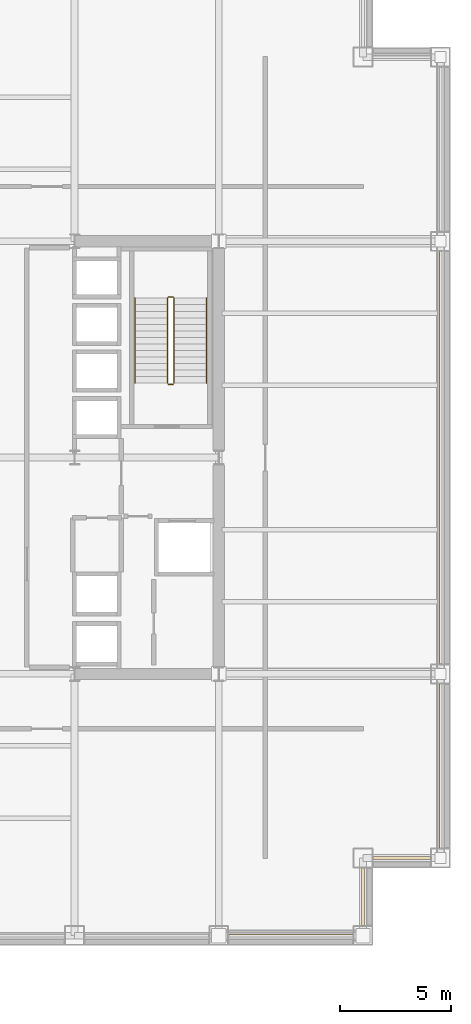
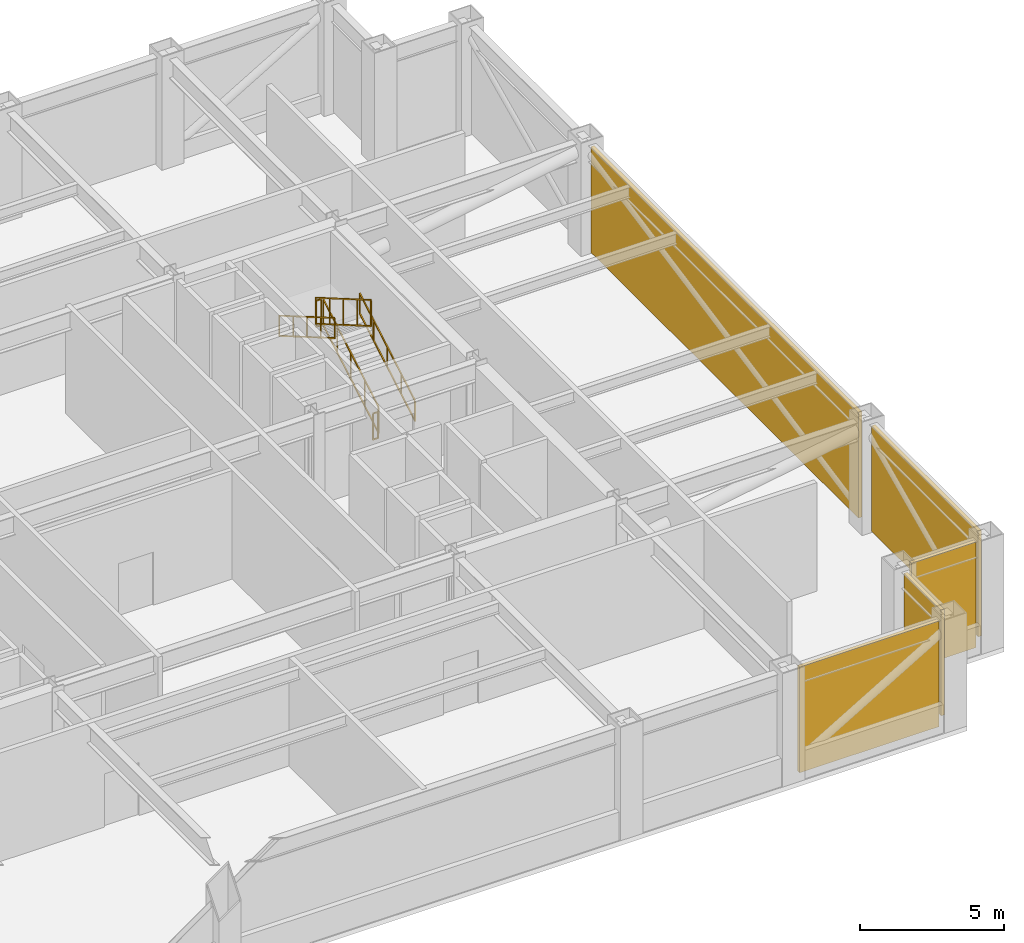
# One storey, part 7 of 8: 6 railings, 5 shading devices.
"""IFC4 building model written with IfcOpenShell, lengths in metres."""

from ifc_helpers import new_model, si_unit, direction, frame, origin, origin_2d, place, context, subcontext, project, spatial, rectangle, extrude, material, layer, layer_set, type_object, element, save


model = new_model("IFC4")

# Units and contexts
model_context = context("Model", 3, precision=1e-05, world=origin(), true_north=direction((0.0, 1.0)))
body_context = subcontext(model_context, "Body", "Model", "MODEL_VIEW")
ifc_project = project(units=[si_unit("LENGTHUNIT", "METRE"), si_unit("AREAUNIT", "SQUARE_METRE"), si_unit("VOLUMEUNIT", "CUBIC_METRE"), si_unit("PLANEANGLEUNIT", "RADIAN"), si_unit("MASSUNIT", "GRAM", prefix="KILO")], contexts=[model_context])

# Site, building, storey
site_placement = place(None, origin())
site = spatial("IfcSite", under=ifc_project, at=site_placement, CompositionType="ELEMENT")
building_placement = place(site_placement, origin())
building = spatial("IfcBuilding", under=site, at=building_placement, Name="Brelmoor Portico Tower", CompositionType="ELEMENT")
storey_placement = place(building_placement, frame((0.0, 0.0, 78.0)))
storey = spatial("IfcBuildingStorey", under=building, at=storey_placement, Name="L20", CompositionType="ELEMENT", Elevation=78.0)

# Railings
ifc_material_1 = material(Name="Painted Tubular Steel Q235B", Category="steel")
railing_type_1 = type_object("IfcRailingType", Name="RL-STAIR-GUARD", PredefinedType="GUARDRAIL", material=ifc_material_1)
railing_1_placement = place(storey_placement, frame((12.5400390625, 3.35009765625, 0.17138671875)))
element("IfcRailing", 1, at=railing_1_placement, inside=storey, type_object=railing_type_1, Name="L20 ST-E stair guard 1", PredefinedType="GUARDRAIL", context=body_context, shape_type="SweptSolid", body=[
    extrude(rectangle(XDim=0.048095703125, YDim=0.048095703125, at=origin_2d()), frame((0.0, 0.0, 1.1259765625), z_axis=(0.0, 0.86461618451, 0.502432934314), x_axis=(-1.0, 0.0, 0.0)), (0.0, 0.0, 1.0), 4.435546875),
    extrude(rectangle(XDim=0.048095703125, YDim=0.048095703125, at=origin_2d()), frame((0.0, 0.0, 0.02392578125), z_axis=(0.0, 0.86461618451, 0.502432934314), x_axis=(-1.0, 0.0, 0.0)), (0.0, 0.0, 1.0), 4.435546875),
    extrude(rectangle(XDim=0.0419921875, YDim=0.0419921875, at=origin_2d()), origin(), (0.0, 0.0, 1.0), 1.101806640625),
    extrude(rectangle(XDim=0.0419921875, YDim=0.0419921875, at=origin_2d()), frame((0.0, 0.958740234375, 0.55712890625)), (0.0, 0.0, 1.0), 1.101806640625),
    extrude(rectangle(XDim=0.0419921875, YDim=0.0419921875, at=origin_2d()), frame((0.0, 1.91748046875, 1.1142578125)), (0.0, 0.0, 1.0), 1.101806640625),
    extrude(rectangle(XDim=0.0419921875, YDim=0.0419921875, at=origin_2d()), frame((0.0, 2.876220703125, 1.67138671875)), (0.0, 0.0, 1.0), 1.101806640625),
    extrude(rectangle(XDim=0.0419921875, YDim=0.0419921875, at=origin_2d()), frame((0.0, 3.8349609375, 2.228515625)), (0.0, 0.0, 1.0), 1.101806640625),
])
railing_2_placement = place(storey_placement, frame((12.489990234375, 7.235107421875, 2.39990234375)))
element("IfcRailing", 2, at=railing_2_placement, inside=storey, type_object=railing_type_1, Name="L20 ST-E stair guard 2", PredefinedType="GUARDRAIL", context=body_context, shape_type="SweptSolid", body=[
    extrude(rectangle(XDim=0.048095703125, YDim=0.048095703125, at=origin_2d()), frame((0.0, 0.0, 1.1259765625), z_axis=(-1.0, 0.0, 0.0), x_axis=(0.0, -1.0, 0.0)), (0.0, 0.0, 1.0), 0.199951171875),
    extrude(rectangle(XDim=0.048095703125, YDim=0.048095703125, at=origin_2d()), frame((0.0, 0.0, 0.02392578125), z_axis=(-1.0, 0.0, 0.0), x_axis=(0.0, -1.0, 0.0)), (0.0, 0.0, 1.0), 0.199951171875),
    extrude(rectangle(XDim=0.0419921875, YDim=0.0419921875, at=origin_2d()), origin(), (0.0, 0.0, 1.0), 1.101806640625),
    extrude(rectangle(XDim=0.0419921875, YDim=0.0419921875, at=origin_2d()), frame((-0.199951171875, 0.0, 0.0)), (0.0, 0.0, 1.0), 1.101806640625),
])
railing_3_placement = place(storey_placement, frame((12.239990234375, 7.18505859375, 2.571533203125)))
element("IfcRailing", 3, at=railing_3_placement, inside=storey, type_object=railing_type_1, Name="L20 ST-E stair guard 3", PredefinedType="GUARDRAIL", context=body_context, shape_type="SweptSolid", body=[
    extrude(rectangle(XDim=0.048095703125, YDim=0.048095703125, at=origin_2d()), frame((0.0, 0.0, 1.1259765625), z_axis=(0.0, -0.86461618451, 0.502432934314), x_axis=(1.0, 0.0, 0.0)), (0.0, 0.0, 1.0), 4.435546875),
    extrude(rectangle(XDim=0.048095703125, YDim=0.048095703125, at=origin_2d()), frame((0.0, 0.0, 0.02392578125), z_axis=(0.0, -0.86461618451, 0.502432934314), x_axis=(1.0, 0.0, 0.0)), (0.0, 0.0, 1.0), 4.435546875),
    extrude(rectangle(XDim=0.0419921875, YDim=0.0419921875, at=origin_2d()), origin(), (0.0, 0.0, 1.0), 1.101806640625),
    extrude(rectangle(XDim=0.0419921875, YDim=0.0419921875, at=origin_2d()), frame((0.0, -0.958740234375, 0.55712890625)), (0.0, 0.0, 1.0), 1.101806640625),
    extrude(rectangle(XDim=0.0419921875, YDim=0.0419921875, at=origin_2d()), frame((0.0, -1.91748046875, 1.1142578125)), (0.0, 0.0, 1.0), 1.101806640625),
    extrude(rectangle(XDim=0.0419921875, YDim=0.0419921875, at=origin_2d()), frame((0.0, -2.876220703125, 1.67138671875)), (0.0, 0.0, 1.0), 1.101806640625),
    extrude(rectangle(XDim=0.0419921875, YDim=0.0419921875, at=origin_2d()), frame((0.0, -3.8349609375, 2.228515625)), (0.0, 0.0, 1.0), 1.101806640625),
])
railing_4_placement = place(storey_placement, frame((12.489990234375, 3.300048828125, 0.0)))
element("IfcRailing", 4, at=railing_4_placement, inside=storey, type_object=railing_type_1, Name="L20 ST-E stair guard 4", PredefinedType="GUARDRAIL", context=body_context, shape_type="SweptSolid", body=[
    extrude(rectangle(XDim=0.048095703125, YDim=0.048095703125, at=origin_2d()), frame((0.0, 0.0, 1.1259765625), z_axis=(-1.0, 0.0, 0.0), x_axis=(0.0, -1.0, 0.0)), (0.0, 0.0, 1.0), 0.199951171875),
    extrude(rectangle(XDim=0.048095703125, YDim=0.048095703125, at=origin_2d()), frame((0.0, 0.0, 0.02392578125), z_axis=(-1.0, 0.0, 0.0), x_axis=(0.0, -1.0, 0.0)), (0.0, 0.0, 1.0), 0.199951171875),
    extrude(rectangle(XDim=0.0419921875, YDim=0.0419921875, at=origin_2d()), origin(), (0.0, 0.0, 1.0), 1.101806640625),
    extrude(rectangle(XDim=0.0419921875, YDim=0.0419921875, at=origin_2d()), frame((-0.199951171875, 0.0, 0.0)), (0.0, 0.0, 1.0), 1.101806640625),
])
ifc_material_2 = material(Name="Brushed Stainless Steel 304", Category="steel")
railing_type_2 = type_object("IfcRailingType", Name="RL-STAIR-HANDRAIL", PredefinedType="HANDRAIL", material=ifc_material_2)
railing_5_placement = place(storey_placement, frame((14.0, 3.35009765625, 0.17138671875)))
element("IfcRailing", 5, at=railing_5_placement, inside=storey, type_object=railing_type_2, Name="L20 ST-E stair handrail 1", PredefinedType="HANDRAIL", context=body_context, shape_type="SweptSolid", body=[
    extrude(rectangle(XDim=0.048095703125, YDim=0.048095703125, at=origin_2d()), frame((0.0, 0.0, 0.8759765625), z_axis=(0.0, 0.86461618451, 0.502432934314), x_axis=(-1.0, 0.0, 0.0)), (0.0, 0.0, 1.0), 4.435546875),
    extrude(rectangle(XDim=0.048095703125, YDim=0.048095703125, at=origin_2d()), frame((0.0, 0.0, 0.02392578125), z_axis=(0.0, 0.86461618451, 0.502432934314), x_axis=(-1.0, 0.0, 0.0)), (0.0, 0.0, 1.0), 4.435546875),
    extrude(rectangle(XDim=0.0419921875, YDim=0.0419921875, at=origin_2d()), origin(), (0.0, 0.0, 1.0), 0.851806640625),
    extrude(rectangle(XDim=0.0419921875, YDim=0.0419921875, at=origin_2d()), frame((0.0, 0.958740234375, 0.55712890625)), (0.0, 0.0, 1.0), 0.851806640625),
    extrude(rectangle(XDim=0.0419921875, YDim=0.0419921875, at=origin_2d()), frame((0.0, 1.91748046875, 1.1142578125)), (0.0, 0.0, 1.0), 0.851806640625),
    extrude(rectangle(XDim=0.0419921875, YDim=0.0419921875, at=origin_2d()), frame((0.0, 2.876220703125, 1.67138671875)), (0.0, 0.0, 1.0), 0.851806640625),
    extrude(rectangle(XDim=0.0419921875, YDim=0.0419921875, at=origin_2d()), frame((0.0, 3.8349609375, 2.228515625)), (0.0, 0.0, 1.0), 0.851806640625),
])
railing_6_placement = place(storey_placement, frame((10.780029296875, 7.18505859375, 2.571533203125)))
element("IfcRailing", 6, at=railing_6_placement, inside=storey, type_object=railing_type_2, Name="L20 ST-E stair handrail 2", PredefinedType="HANDRAIL", context=body_context, shape_type="SweptSolid", body=[
    extrude(rectangle(XDim=0.048095703125, YDim=0.048095703125, at=origin_2d()), frame((0.0, 0.0, 0.8759765625), z_axis=(0.0, -0.86461618451, 0.502432934314), x_axis=(1.0, 0.0, 0.0)), (0.0, 0.0, 1.0), 4.435546875),
    extrude(rectangle(XDim=0.048095703125, YDim=0.048095703125, at=origin_2d()), frame((0.0, 0.0, 0.02392578125), z_axis=(0.0, -0.86461618451, 0.502432934314), x_axis=(1.0, 0.0, 0.0)), (0.0, 0.0, 1.0), 4.435546875),
    extrude(rectangle(XDim=0.0419921875, YDim=0.0419921875, at=origin_2d()), origin(), (0.0, 0.0, 1.0), 0.851806640625),
    extrude(rectangle(XDim=0.0419921875, YDim=0.0419921875, at=origin_2d()), frame((0.0, -0.958740234375, 0.55712890625)), (0.0, 0.0, 1.0), 0.851806640625),
    extrude(rectangle(XDim=0.0419921875, YDim=0.0419921875, at=origin_2d()), frame((0.0, -1.91748046875, 1.1142578125)), (0.0, 0.0, 1.0), 0.851806640625),
    extrude(rectangle(XDim=0.0419921875, YDim=0.0419921875, at=origin_2d()), frame((0.0, -2.876220703125, 1.67138671875)), (0.0, 0.0, 1.0), 0.851806640625),
    extrude(rectangle(XDim=0.0419921875, YDim=0.0419921875, at=origin_2d()), frame((0.0, -3.8349609375, 2.228515625)), (0.0, 0.0, 1.0), 0.851806640625),
])

# Shading devices
ifc_material_3 = material(Name="Extruded Aluminium Acoustic Weather Louvre", Category="aluminium")
ifc_layer = layer(ifc_material_3, 0.139892578125)
ifc_layer_set = layer_set([ifc_layer], Name="Extruded Aluminium Acoustic Weather Louvre")
shading_device_type = type_object("IfcShadingDeviceType", Name="SD-PLANT-LOUVRE", PredefinedType="USERDEFINED", material=ifc_layer_set)
shading_device_1_placement = place(storey_placement, frame((17.800048828125, -21.550048828125, 0.06005859375), z_axis=(0.0, 0.0, 1.0), x_axis=(1.0, 0.0, 0.0)))
element("IfcShadingDevice", 7, at=shading_device_1_placement, inside=storey, type_object=shading_device_type, Name="L20 Acoustic Plant Louvre S-5", ObjectType="LOUVRE", PredefinedType="USERDEFINED", context=body_context, shape_type="SweptSolid", body=[
    extrude(rectangle(XDim=5.580078125, YDim=0.139892578125, at=origin_2d()), origin(), (0.0, 0.0, 1.0), 4.47998046875),
])
shading_device_2_placement = place(storey_placement, frame((24.550048828125, -13.89990234375, 0.06005859375), z_axis=(0.0, 0.0, 1.0), x_axis=(0.0, 1.0, 0.0)))
element("IfcShadingDevice", 8, at=shading_device_2_placement, inside=storey, type_object=shading_device_type, Name="L20 Acoustic Plant Louvre E-1", ObjectType="LOUVRE", PredefinedType="USERDEFINED", context=body_context, shape_type="SweptSolid", body=[
    extrude(rectangle(XDim=7.3798828125, YDim=0.139892578125, at=origin_2d()), origin(), (0.0, 0.0, 1.0), 4.47998046875),
])
shading_device_3_placement = place(storey_placement, frame((24.550048828125, 0.0, 0.06005859375), z_axis=(0.0, 0.0, 1.0), x_axis=(0.0, 1.0, 0.0)))
element("IfcShadingDevice", 9, at=shading_device_3_placement, inside=storey, type_object=shading_device_type, Name="L20 Acoustic Plant Louvre E-2", ObjectType="LOUVRE", PredefinedType="USERDEFINED", context=body_context, shape_type="SweptSolid", body=[
    extrude(rectangle(XDim=18.580078125, YDim=0.139892578125, at=origin_2d()), origin(), (0.0, 0.0, 1.0), 4.47998046875),
])
for number, where, z_axis, x_axis, name in (
    (10, (21.050048828125, -19.800048828125, 0.06005859375), (0.0, 0.0, 1.0), (0.0, 1.0, 0.0), "L20 Acoustic Plant Louvre SE1-1"),
    (11, (22.800048828125, -18.050048828125, 0.06005859375), (0.0, 0.0, 1.0), (1.0, 0.0, 0.0), "L20 Acoustic Plant Louvre SE2-1"),
):
    element("IfcShadingDevice", number, at=place(storey_placement, frame(where, z_axis=z_axis, x_axis=x_axis)), inside=storey, type_object=shading_device_type, Name=name, ObjectType="LOUVRE", PredefinedType="USERDEFINED", context=body_context, shape_type="SweptSolid", body=[
        extrude(rectangle(XDim=2.580078125, YDim=0.139892578125, at=origin_2d()), origin(), (0.0, 0.0, 1.0), 4.47998046875),
    ])

save(model, "model.ifc")
